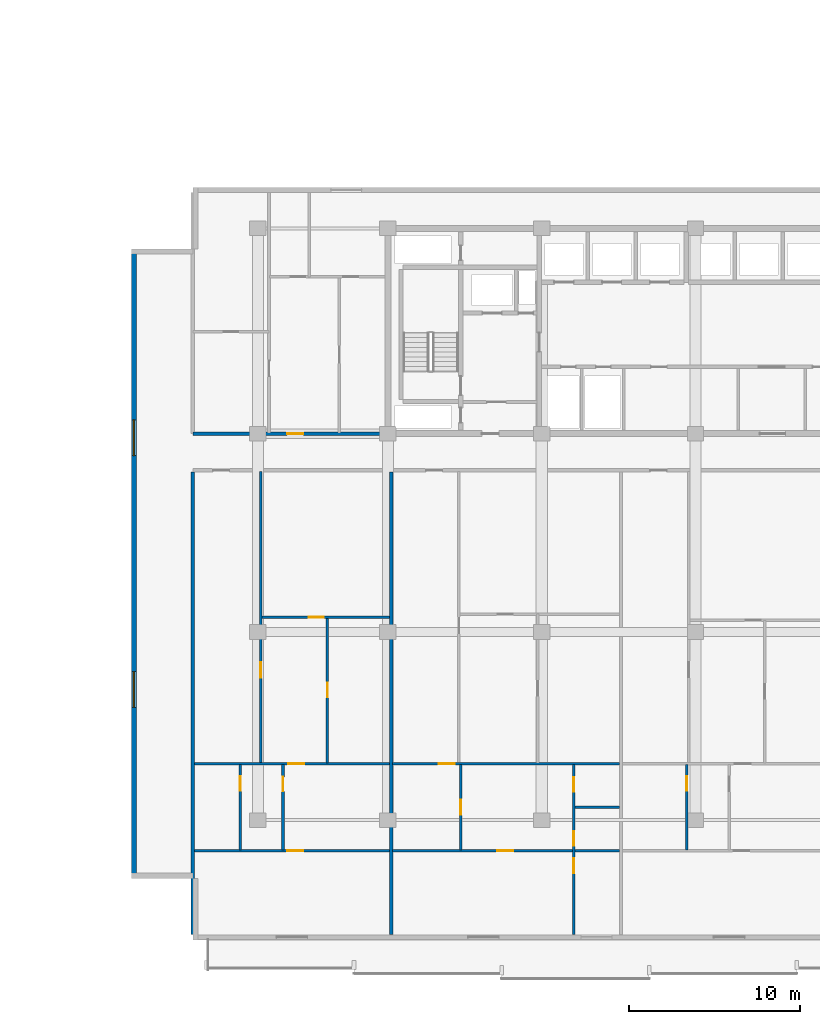
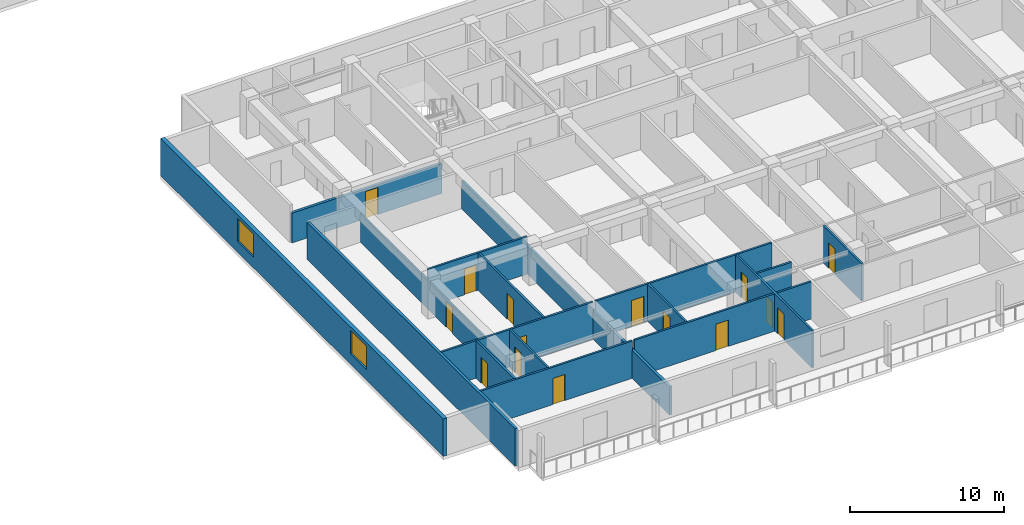
# One storey, part 4 of 24: 17 walls, 15 doors, 2 windows, 17 openings.
"""IFC4 building model written with IfcOpenShell, lengths in metres."""

from ifc_helpers import new_model, si_unit, direction, frame, frame_2d, origin, place, context, subcontext, project, spatial, rectangle, extrude, material, layer, layer_set, type_object, element, fill, save


model = new_model("IFC4")

# Units and contexts
model_context = context("Model", 3, precision=1e-05, world=origin(), true_north=direction((0.0, 1.0)))
body_context = subcontext(model_context, "Body", "Model", "MODEL_VIEW")
ifc_project = project(units=[si_unit("LENGTHUNIT", "METRE"), si_unit("AREAUNIT", "SQUARE_METRE"), si_unit("VOLUMEUNIT", "CUBIC_METRE"), si_unit("PLANEANGLEUNIT", "RADIAN"), si_unit("MASSUNIT", "GRAM", prefix="KILO")], contexts=[model_context])

# Site, building, storey
site_placement = place(None, origin())
site = spatial("IfcSite", under=ifc_project, at=site_placement, CompositionType="ELEMENT")
building_placement = place(site_placement, origin())
building = spatial("IfcBuilding", under=site, at=building_placement, Name="Korimba Cascade Residences", CompositionType="ELEMENT")
storey_placement = place(building_placement, frame((0.0, 0.0, 63.0)))
storey = spatial("IfcBuildingStorey", under=building, at=storey_placement, Name="L17", CompositionType="ELEMENT", Elevation=63.0)

# Wall, openings, windows
ifc_material_1 = material(Name="Precast concrete C40/50", Category="concrete")
ifc_layer_1 = layer(ifc_material_1, 0.300048828125)
ifc_layer_set_1 = layer_set([ifc_layer_1], Name="Precast concrete C40/50")
wall_type_1 = type_object("IfcWallType", Name="EW-STONE-300", PredefinedType="STANDARD", material=ifc_layer_set_1)
wall_1_placement = place(storey_placement, frame((67.25, 29.199951171875, 0.0), z_axis=(0.0, 0.0, 1.0), x_axis=(0.0, -1.0, 0.0)))
wall_1 = element("IfcWall", 1, at=wall_1_placement, inside=storey, type_object=wall_type_1, Name="L17 T2 Perimeter Stone Wall E09", PredefinedType="STANDARD", context=body_context, shape_type="SweptSolid", body=[
    extrude(rectangle(XDim=36.800048828125, YDim=0.300048828125, at=frame_2d((18.39990234375, 0.0))), origin(), (0.0, 0.0, 1.0), 2.969970703125),
])
opening_1_placement = place(wall_1_placement, frame((9.989990234375, 0.0, 0.85009765625)))
opening_1 = element("IfcOpeningElement", 2, at=opening_1_placement, cuts=wall_1, Name="Opening W-03", PredefinedType="OPENING", context=body_context, shape_type="SweptSolid", body=[
    extrude(rectangle(XDim=2.10009765625, YDim=1.85009765625, at=frame_2d((1.050048828125, 0.925048828125))), frame((0.0, 0.16015625, 0.0), z_axis=(0.0, -1.0, 0.0), x_axis=(1.0, 0.0, 0.0)), (0.0, 0.0, 1.0), 0.320068359375),
])
opening_2_placement = place(wall_1_placement, frame((24.7099609375, 0.0, 0.85009765625)))
opening_2 = element("IfcOpeningElement", 3, at=opening_2_placement, cuts=wall_1, Name="Opening W-03", PredefinedType="OPENING", context=body_context, shape_type="SweptSolid", body=[
    extrude(rectangle(XDim=2.10009765625, YDim=1.85009765625, at=frame_2d((1.050048828125, 0.925048828125))), frame((0.0, 0.16015625, 0.0), z_axis=(0.0, -1.0, 0.0), x_axis=(1.0, 0.0, 0.0)), (0.0, 0.0, 1.0), 0.320068359375),
])
ifc_material_2 = material(Name="Double-Glazed Aluminium Window", Category="aluminium")
window_type = type_object("IfcWindowType", Name="WIN-CRN-2100", PartitioningType="DOUBLE_PANEL_HORIZONTAL", PredefinedType="WINDOW", material=ifc_material_2)
window_1_placement = place(opening_1_placement, origin())
window_1 = element("IfcWindow", 4, at=window_1_placement, inside=storey, type_object=window_type, Name="L17 T2 End View Window 9.1", OverallHeight=1.85009765625, OverallWidth=2.10009765625, PartitioningType="DOUBLE_PANEL_HORIZONTAL", PredefinedType="WINDOW", context=body_context, shape_type="SweptSolid", body=[
    extrude(rectangle(XDim=2.10009765625, YDim=1.85009765625, at=frame_2d((1.050048828125, 0.925048828125))), frame((0.0, 0.030029296875, 0.0), z_axis=(0.0, -1.0, 0.0), x_axis=(1.0, 0.0, 0.0)), (0.0, 0.0, 1.0), 0.06005859375),
])
fill(opening_1, window_1)
window_2_placement = place(opening_2_placement, origin())
window_2 = element("IfcWindow", 5, at=window_2_placement, inside=storey, type_object=window_type, Name="L17 T2 End View Window 9.2", OverallHeight=1.85009765625, OverallWidth=2.10009765625, PartitioningType="DOUBLE_PANEL_HORIZONTAL", PredefinedType="WINDOW", context=body_context, shape_type="SweptSolid", body=[
    extrude(rectangle(XDim=2.10009765625, YDim=1.85009765625, at=frame_2d((1.050048828125, 0.925048828125))), frame((0.0, 0.030029296875, 0.0), z_axis=(0.0, -1.0, 0.0), x_axis=(1.0, 0.0, 0.0)), (0.0, 0.0, 1.0), 0.06005859375),
])
fill(opening_2, window_2)

# Wall, opening, door
ifc_layer_2 = layer(ifc_material_1, 0.199951171875)
ifc_layer_set_2 = layer_set([ifc_layer_2], Name="Precast concrete C40/50")
wall_type_2 = type_object("IfcWallType", Name="WAL-IT-200", PredefinedType="PARTITIONING", material=ifc_layer_set_2)
wall_2_placement = place(storey_placement, frame((70.699951171875, 18.39990234375, 0.0), z_axis=(0.0, 0.0, 1.0), x_axis=(1.0, 0.0, 0.0)))
wall_2 = element("IfcWall", 6, at=wall_2_placement, inside=storey, type_object=wall_type_2, Name="L17 Partition Wall WAL-L17-T2-FW-S", PredefinedType="PARTITIONING", context=body_context, shape_type="SweptSolid", body=[
    extrude(rectangle(XDim=11.25, YDim=0.199951171875, at=frame_2d((5.625, 0.0))), origin(), (0.0, 0.0, 1.0), 2.3701171875),
])
opening_3_placement = place(wall_2_placement, frame((5.50634765625, 0.0, 0.0)))
opening_3 = element("IfcOpeningElement", 7, at=opening_3_placement, cuts=wall_2, Name="Opening D-UN1", PredefinedType="OPENING", context=body_context, shape_type="SweptSolid", body=[
    extrude(rectangle(XDim=0.949951171875, YDim=2.14990234375, at=frame_2d((0.47509765625, 1.074951171875))), frame((0.0, 0.10986328125, 0.0), z_axis=(0.0, -1.0, 0.0), x_axis=(1.0, 0.0, 0.0)), (0.0, 0.0, 1.0), 0.219970703125),
])
ifc_material_3 = material(Name="Fire-Rated Hardwood Apartment Entrance Door", Category="wood")
door_type_1 = type_object("IfcDoorType", Name="DR-FD60-950", OperationType="NOTDEFINED", PredefinedType="DOOR", material=ifc_material_3)
door_1_placement = place(opening_3_placement, origin())
door_1 = element("IfcDoor", 8, at=door_1_placement, inside=storey, type_object=door_type_1, Name="L17-T2-FW Entrance Door", OperationType="SINGLE_SWING_LEFT", OverallHeight=2.14990234375, OverallWidth=0.949951171875, PredefinedType="DOOR", context=body_context, shape_type="SweptSolid", body=[
    extrude(rectangle(XDim=0.949951171875, YDim=2.14990234375, at=frame_2d((0.47509765625, 1.074951171875))), frame((0.0, 0.02490234375, 0.0), z_axis=(0.0, -1.0, 0.0), x_axis=(1.0, 0.0, 0.0)), (0.0, 0.0, 1.0), 0.050048828125),
])
fill(opening_3, door_1)

# Walls
wall_3_placement = place(storey_placement, frame((70.699951171875, -10.89990234375, 0.0), z_axis=(0.0, 0.0, 1.0), x_axis=(0.0, 1.0, 0.0)))
element("IfcWall", 9, at=wall_3_placement, inside=storey, type_object=wall_type_2, Name="L17 Partition Wall WAL-L17-T2-BNDWL", PredefinedType="PARTITIONING", context=body_context, shape_type="SweptSolid", body=[
    extrude(rectangle(XDim=27.06982421875, YDim=0.199951171875, at=frame_2d((13.534912109375, 0.0))), origin(), (0.0, 0.0, 1.0), 2.969970703125),
])
wall_4_placement = place(storey_placement, frame((82.289794921875, -10.89990234375, 0.0), z_axis=(0.0, 0.0, 1.0), x_axis=(0.0, 1.0, 0.0)))
element("IfcWall", 10, at=wall_4_placement, inside=storey, type_object=wall_type_2, Name="L17 Partition Wall WAL-L17-T2-DEM-1", PredefinedType="PARTITIONING", context=body_context, shape_type="SweptSolid", body=[
    extrude(rectangle(XDim=27.06982421875, YDim=0.199951171875, at=frame_2d((13.534912109375, 0.0))), origin(), (0.0, 0.0, 1.0), 2.219970703125),
])

# Wall, opening, door
ifc_material_4 = material(Name="Insulated Acoustic Stud Partition", Category="gypsum")
ifc_layer_3 = layer(ifc_material_4, 0.14990234375)
ifc_layer_set_3 = layer_set([ifc_layer_3], Name="Insulated Acoustic Stud Partition")
wall_type_3 = type_object("IfcWallType", Name="WAL-PART-150", PredefinedType="PARTITIONING", material=ifc_layer_set_3)
wall_5_placement = place(storey_placement, frame((78.56982421875, -0.860107421875, 0.0), z_axis=(0.0, 0.0, 1.0), x_axis=(0.0, 1.0, 0.0)))
wall_5 = element("IfcWall", 11, at=wall_5_placement, inside=storey, type_object=wall_type_3, Name="L17 Partition Wall WAL-L17-T2-U01-FMV", PredefinedType="PARTITIONING", context=body_context, shape_type="SweptSolid", body=[
    extrude(rectangle(XDim=8.525146484375, YDim=0.14990234375, at=frame_2d((4.2626953125, 0.0))), origin(), (0.0, 0.0, 1.0), 2.969970703125),
])
opening_4_placement = place(wall_5_placement, frame((3.842529296875, 0.0, 0.0)))
opening_4 = element("IfcOpeningElement", 12, at=opening_4_placement, cuts=wall_5, Name="Opening D-BT1", PredefinedType="OPENING", context=body_context, shape_type="SweptSolid", body=[
    extrude(rectangle(XDim=0.840087890625, YDim=2.0400390625, at=frame_2d((0.419921875, 1.02001953125))), frame((0.0, 0.0849609375, 0.0), z_axis=(0.0, -1.0, 0.0), x_axis=(1.0, 0.0, 0.0)), (0.0, 0.0, 1.0), 0.169921875),
])
ifc_material_5 = material(Name="Moisture-Resistant Bathroom Timber Door", Category="wood")
door_type_2 = type_object("IfcDoorType", Name="DR-INT-850", OperationType="NOTDEFINED", PredefinedType="DOOR", material=ifc_material_5)
door_2_placement = place(opening_4_placement, origin())
door_2 = element("IfcDoor", 13, at=door_2_placement, inside=storey, type_object=door_type_2, Name="L17-T2-U01 Wardrobe Door", OperationType="SINGLE_SWING_RIGHT", OverallHeight=2.0400390625, OverallWidth=0.840087890625, PredefinedType="DOOR", context=body_context, shape_type="SweptSolid", body=[
    extrude(rectangle(XDim=0.840087890625, YDim=2.0400390625, at=frame_2d((0.419921875, 1.02001953125))), frame((0.0, 0.02490234375, 0.0), z_axis=(0.0, -1.0, 0.0), x_axis=(1.0, 0.0, 0.0)), (0.0, 0.0, 1.0), 0.050048828125),
])
fill(opening_4, door_2)

wall_6_placement = place(storey_placement, frame((74.72998046875, 7.6650390625, 0.0), z_axis=(0.0, 0.0, 1.0), x_axis=(1.0, 0.0, 0.0)))
wall_6 = element("IfcWall", 14, at=wall_6_placement, inside=storey, type_object=wall_type_3, Name="L17 Partition Wall WAL-L17-T2-U01-FMH", PredefinedType="PARTITIONING", context=body_context, shape_type="SweptSolid", body=[
    extrude(rectangle(XDim=7.479736328125, YDim=0.14990234375, at=frame_2d((3.73974609375, 0.0))), origin(), (0.0, 0.0, 1.0), 2.969970703125),
])
opening_5_placement = place(wall_6_placement, frame((2.739990234375, 0.0, 0.0)))
opening_5 = element("IfcOpeningElement", 15, at=opening_5_placement, cuts=wall_6, Name="Opening D-IN2", PredefinedType="OPENING", context=body_context, shape_type="SweptSolid", body=[
    extrude(rectangle(XDim=0.8798828125, YDim=2.06005859375, at=frame_2d((0.43994140625, 1.030029296875))), frame((0.0, 0.0849609375, 0.0), z_axis=(0.0, -1.0, 0.0), x_axis=(1.0, 0.0, 0.0)), (0.0, 0.0, 1.0), 0.169921875),
])
ifc_material_6 = material(Name="Acoustic Timber Bedroom Door", Category="wood")
door_type_3 = type_object("IfcDoorType", Name="DR-INT-880", OperationType="NOTDEFINED", PredefinedType="DOOR", material=ifc_material_6)
door_3_placement = place(opening_5_placement, origin())
door_3 = element("IfcDoor", 16, at=door_3_placement, inside=storey, type_object=door_type_3, Name="L17-T2-U01 Library Salon Door", OperationType="SINGLE_SWING_LEFT", OverallHeight=2.06005859375, OverallWidth=0.8798828125, PredefinedType="DOOR", context=body_context, shape_type="SweptSolid", body=[
    extrude(rectangle(XDim=0.8798828125, YDim=2.06005859375, at=frame_2d((0.43994140625, 1.030029296875))), frame((0.0, 0.02490234375, 0.0), z_axis=(0.0, -1.0, 0.0), x_axis=(1.0, 0.0, 0.0)), (0.0, 0.0, 1.0), 0.050048828125),
])
fill(opening_5, door_3)

wall_7_placement = place(storey_placement, frame((74.669921875, -0.860107421875, 0.0), z_axis=(0.0, 0.0, 1.0), x_axis=(0.0, 1.0, 0.0)))
wall_7 = element("IfcWall", 17, at=wall_7_placement, inside=storey, type_object=wall_type_3, Name="L17 Partition Wall WAL-L17-T2-U01-FV", PredefinedType="PARTITIONING", context=body_context, shape_type="SweptSolid", body=[
    extrude(rectangle(XDim=17.050048828125, YDim=0.14990234375, at=frame_2d((8.52490234375, 0.0))), origin(), (0.0, 0.0, 1.0), 2.219970703125),
])
opening_6_placement = place(wall_7_placement, frame((4.999755859375, 0.0, 0.0)))
opening_6 = element("IfcOpeningElement", 18, at=opening_6_placement, cuts=wall_7, Name="Opening D-IN2", PredefinedType="OPENING", context=body_context, shape_type="SweptSolid", body=[
    extrude(rectangle(XDim=0.8798828125, YDim=2.06005859375, at=frame_2d((0.43994140625, 1.030029296875))), frame((0.0, 0.0849609375, 0.0), z_axis=(0.0, -1.0, 0.0), x_axis=(1.0, 0.0, 0.0)), (0.0, 0.0, 1.0), 0.169921875),
])
door_4_placement = place(opening_6_placement, origin())
door_4 = element("IfcDoor", 19, at=door_4_placement, inside=storey, type_object=door_type_3, Name="L17-T2-U01 Media Lounge Door", OperationType="SINGLE_SWING_RIGHT", OverallHeight=2.06005859375, OverallWidth=0.8798828125, PredefinedType="DOOR", context=body_context, shape_type="SweptSolid", body=[
    extrude(rectangle(XDim=0.8798828125, YDim=2.06005859375, at=frame_2d((0.43994140625, 1.030029296875))), frame((0.0, 0.02490234375, 0.0), z_axis=(0.0, -1.0, 0.0), x_axis=(1.0, 0.0, 0.0)), (0.0, 0.0, 1.0), 0.050048828125),
])
fill(opening_6, door_4)

wall_8_placement = place(storey_placement, frame((73.4697265625, -5.93994140625, 0.0), z_axis=(0.0, 0.0, 1.0), x_axis=(0.0, 1.0, 0.0)))
wall_8 = element("IfcWall", 20, at=wall_8_placement, inside=storey, type_object=wall_type_3, Name="L17 Partition Wall WAL-L17-T2-U01-CLS", PredefinedType="PARTITIONING", context=body_context, shape_type="SweptSolid", body=[
    extrude(rectangle(XDim=5.0, YDim=0.14990234375, at=frame_2d((2.5, 0.0))), origin(), (0.0, 0.0, 1.0), 2.969970703125),
])
opening_7_placement = place(wall_8_placement, frame((3.464111328125, 0.0, 0.0)))
opening_7 = element("IfcOpeningElement", 21, at=opening_7_placement, cuts=wall_8, Name="Opening D-BT1", PredefinedType="OPENING", context=body_context, shape_type="SweptSolid", body=[
    extrude(rectangle(XDim=0.840087890625, YDim=2.0400390625, at=frame_2d((0.419921875, 1.02001953125))), frame((0.0, 0.0849609375, 0.0), z_axis=(0.0, -1.0, 0.0), x_axis=(1.0, 0.0, 0.0)), (0.0, 0.0, 1.0), 0.169921875),
])
door_5_placement = place(opening_7_placement, origin())
door_5 = element("IfcDoor", 22, at=door_5_placement, inside=storey, type_object=door_type_2, Name="L17-T2-U01 Closet Door", OperationType="SINGLE_SWING_LEFT", OverallHeight=2.0400390625, OverallWidth=0.840087890625, PredefinedType="DOOR", context=body_context, shape_type="SweptSolid", body=[
    extrude(rectangle(XDim=0.840087890625, YDim=2.0400390625, at=frame_2d((0.419921875, 1.02001953125))), frame((0.0, 0.02490234375, 0.0), z_axis=(0.0, -1.0, 0.0), x_axis=(1.0, 0.0, 0.0)), (0.0, 0.0, 1.0), 0.050048828125),
])
fill(opening_7, door_5)

wall_9_placement = place(storey_placement, frame((75.9697265625, -5.93994140625, 0.0), z_axis=(0.0, 0.0, 1.0), x_axis=(0.0, 1.0, 0.0)))
wall_9 = element("IfcWall", 23, at=wall_9_placement, inside=storey, type_object=wall_type_3, Name="L17 Partition Wall WAL-L17-T2-U01-BM", PredefinedType="PARTITIONING", context=body_context, shape_type="SweptSolid", body=[
    extrude(rectangle(XDim=5.0, YDim=0.14990234375, at=frame_2d((2.5, 0.0))), origin(), (0.0, 0.0, 1.0), 2.969970703125),
])
opening_8_placement = place(wall_9_placement, frame((3.424072265625, 0.0, 0.0)))
opening_8 = element("IfcOpeningElement", 24, at=opening_8_placement, cuts=wall_9, Name="Opening D-BT1", PredefinedType="OPENING", context=body_context, shape_type="SweptSolid", body=[
    extrude(rectangle(XDim=0.840087890625, YDim=2.0400390625, at=frame_2d((0.419921875, 1.02001953125))), frame((0.0, 0.0849609375, 0.0), z_axis=(0.0, -1.0, 0.0), x_axis=(1.0, 0.0, 0.0)), (0.0, 0.0, 1.0), 0.169921875),
])
door_6_placement = place(opening_8_placement, origin())
door_6 = element("IfcDoor", 25, at=door_6_placement, inside=storey, type_object=door_type_2, Name="L17-T2-U01 Bathroom Door", OperationType="SINGLE_SWING_RIGHT", OverallHeight=2.0400390625, OverallWidth=0.840087890625, PredefinedType="DOOR", context=body_context, shape_type="SweptSolid", body=[
    extrude(rectangle(XDim=0.840087890625, YDim=2.0400390625, at=frame_2d((0.419921875, 1.02001953125))), frame((0.0, 0.02490234375, 0.0), z_axis=(0.0, -1.0, 0.0), x_axis=(1.0, 0.0, 0.0)), (0.0, 0.0, 1.0), 0.050048828125),
])
fill(opening_8, door_6)

wall_10_placement = place(storey_placement, frame((70.780029296875, -0.89990234375, 0.0), z_axis=(0.0, 0.0, 1.0), x_axis=(1.0, 0.0, 0.0)))
wall_10 = element("IfcWall", 26, at=wall_10_placement, inside=storey, type_object=wall_type_3, Name="L17 Partition Wall WAL-L17-T2-U01-MW", PredefinedType="PARTITIONING", context=body_context, shape_type="SweptSolid", body=[
    extrude(rectangle(XDim=11.4296875, YDim=0.14990234375, at=frame_2d((5.71484375, 0.0))), origin(), (0.0, 0.0, 1.0), 2.969970703125),
])
opening_9_placement = place(wall_10_placement, frame((5.505859375, 0.0, 0.0)))
opening_9 = element("IfcOpeningElement", 27, at=opening_9_placement, cuts=wall_10, Name="Opening D-IN1", PredefinedType="OPENING", context=body_context, shape_type="SweptSolid", body=[
    extrude(rectangle(XDim=0.919921875, YDim=2.080078125, at=frame_2d((0.4599609375, 1.0400390625))), frame((0.0, 0.0849609375, 0.0), z_axis=(0.0, -1.0, 0.0), x_axis=(1.0, 0.0, 0.0)), (0.0, 0.0, 1.0), 0.169921875),
])
ifc_material_7 = material(Name="Acoustic Timber Living Door", Category="wood")
door_type_4 = type_object("IfcDoorType", Name="DR-INT-920", OperationType="NOTDEFINED", PredefinedType="DOOR", material=ifc_material_7)
door_7_placement = place(opening_9_placement, origin())
door_7 = element("IfcDoor", 28, at=door_7_placement, inside=storey, type_object=door_type_4, Name="L17-T2-U01 Studio Kitchen Door", OperationType="SINGLE_SWING_LEFT", OverallHeight=2.080078125, OverallWidth=0.919921875, PredefinedType="DOOR", context=body_context, shape_type="SweptSolid", body=[
    extrude(rectangle(XDim=0.919921875, YDim=2.080078125, at=frame_2d((0.4599609375, 1.0400390625))), frame((0.0, 0.02490234375, 0.0), z_axis=(0.0, -1.0, 0.0), x_axis=(1.0, 0.0, 0.0)), (0.0, 0.0, 1.0), 0.050048828125),
])
fill(opening_9, door_7)

wall_11_placement = place(storey_placement, frame((70.780029296875, -6.0, 0.0), z_axis=(0.0, 0.0, 1.0), x_axis=(1.0, 0.0, 0.0)))
wall_11 = element("IfcWall", 29, at=wall_11_placement, inside=storey, type_object=wall_type_3, Name="L17 Partition Wall WAL-L17-T2-U01-HZ", PredefinedType="PARTITIONING", context=body_context, shape_type="SweptSolid", body=[
    extrude(rectangle(XDim=11.4296875, YDim=0.14990234375, at=frame_2d((5.71484375, 0.0))), origin(), (0.0, 0.0, 1.0), 2.969970703125),
])
opening_10_placement = place(wall_11_placement, frame((5.439697265625, 0.0, 0.0)))
opening_10 = element("IfcOpeningElement", 30, at=opening_10_placement, cuts=wall_11, Name="Opening D-IN1", PredefinedType="OPENING", context=body_context, shape_type="SweptSolid", body=[
    extrude(rectangle(XDim=0.919921875, YDim=2.080078125, at=frame_2d((0.4599609375, 1.0400390625))), frame((0.0, 0.0849609375, 0.0), z_axis=(0.0, -1.0, 0.0), x_axis=(1.0, 0.0, 0.0)), (0.0, 0.0, 1.0), 0.169921875),
])
door_8_placement = place(opening_10_placement, origin())
door_8 = element("IfcDoor", 31, at=door_8_placement, inside=storey, type_object=door_type_4, Name="L17-T2-U01 Studio Door", OperationType="SINGLE_SWING_RIGHT", OverallHeight=2.080078125, OverallWidth=0.919921875, PredefinedType="DOOR", context=body_context, shape_type="SweptSolid", body=[
    extrude(rectangle(XDim=0.919921875, YDim=2.080078125, at=frame_2d((0.4599609375, 1.0400390625))), frame((0.0, 0.02490234375, 0.0), z_axis=(0.0, -1.0, 0.0), x_axis=(1.0, 0.0, 0.0)), (0.0, 0.0, 1.0), 0.050048828125),
])
fill(opening_10, door_8)

wall_12_placement = place(storey_placement, frame((86.359619140625, -5.93994140625, 0.0), z_axis=(0.0, 0.0, 1.0), x_axis=(0.0, 1.0, 0.0)))
wall_12 = element("IfcWall", 32, at=wall_12_placement, inside=storey, type_object=wall_type_3, Name="L17 Partition Wall WAL-L17-T2-U02-VDIN", PredefinedType="PARTITIONING", context=body_context, shape_type="SweptSolid", body=[
    extrude(rectangle(XDim=5.0, YDim=0.14990234375, at=frame_2d((2.5, 0.0))), origin(), (0.0, 0.0, 1.0), 2.969970703125),
])
opening_11_placement = place(wall_12_placement, frame((2.06005859375, 0.0, 0.0)))
opening_11 = element("IfcOpeningElement", 33, at=opening_11_placement, cuts=wall_12, Name="Opening D-IN2", PredefinedType="OPENING", context=body_context, shape_type="SweptSolid", body=[
    extrude(rectangle(XDim=0.8798828125, YDim=2.06005859375, at=frame_2d((0.43994140625, 1.030029296875))), frame((0.0, 0.0849609375, 0.0), z_axis=(0.0, -1.0, 0.0), x_axis=(1.0, 0.0, 0.0)), (0.0, 0.0, 1.0), 0.169921875),
])
door_9_placement = place(opening_11_placement, origin())
door_9 = element("IfcDoor", 34, at=door_9_placement, inside=storey, type_object=door_type_3, Name="L17-T2-U02 Dining Room Door", OperationType="SINGLE_SWING_RIGHT", OverallHeight=2.06005859375, OverallWidth=0.8798828125, PredefinedType="DOOR", context=body_context, shape_type="SweptSolid", body=[
    extrude(rectangle(XDim=0.8798828125, YDim=2.06005859375, at=frame_2d((0.43994140625, 1.030029296875))), frame((0.0, 0.02490234375, 0.0), z_axis=(0.0, -1.0, 0.0), x_axis=(1.0, 0.0, 0.0)), (0.0, 0.0, 1.0), 0.050048828125),
])
fill(opening_11, door_9)

# Wall
wall_13_placement = place(storey_placement, frame((93.0400390625, -3.43994140625, 0.0), z_axis=(0.0, 0.0, 1.0), x_axis=(1.0, 0.0, 0.0)))
element("IfcWall", 35, at=wall_13_placement, inside=storey, type_object=wall_type_3, Name="L17 Partition Wall WAL-L17-T2-U02-BLDIV", PredefinedType="PARTITIONING", context=body_context, shape_type="SweptSolid", body=[
    extrude(rectangle(XDim=2.6162109375, YDim=0.14990234375, at=frame_2d((1.30810546875, 0.0))), origin(), (0.0, 0.0, 1.0), 2.969970703125),
])

# Wall, openings, doors
wall_14_placement = place(storey_placement, frame((92.97998046875, -10.89990234375, 0.0), z_axis=(0.0, 0.0, 1.0), x_axis=(0.0, 1.0, 0.0)))
wall_14 = element("IfcWall", 36, at=wall_14_placement, inside=storey, type_object=wall_type_3, Name="L17 Partition Wall WAL-L17-T2-U02-V1", PredefinedType="PARTITIONING", context=body_context, shape_type="SweptSolid", body=[
    extrude(rectangle(XDim=9.9599609375, YDim=0.14990234375, at=frame_2d((4.97998046875, 0.0))), origin(), (0.0, 0.0, 1.0), 2.969970703125),
])
opening_12_placement = place(wall_14_placement, frame((5.199951171875, 0.0, 0.0)))
opening_12 = element("IfcOpeningElement", 37, at=opening_12_placement, cuts=wall_14, Name="Opening D-BT1", PredefinedType="OPENING", context=body_context, shape_type="SweptSolid", body=[
    extrude(rectangle(XDim=0.840087890625, YDim=2.0400390625, at=frame_2d((0.419921875, 1.02001953125))), frame((0.0, 0.0849609375, 0.0), z_axis=(0.0, -1.0, 0.0), x_axis=(1.0, 0.0, 0.0)), (0.0, 0.0, 1.0), 0.169921875),
])
opening_13_placement = place(wall_14_placement, frame((8.359130859375, 0.0, 0.0)))
opening_13 = element("IfcOpeningElement", 38, at=opening_13_placement, cuts=wall_14, Name="Opening D-BT1", PredefinedType="OPENING", context=body_context, shape_type="SweptSolid", body=[
    extrude(rectangle(XDim=0.840087890625, YDim=2.0400390625, at=frame_2d((0.419921875, 1.02001953125))), frame((0.0, 0.0849609375, 0.0), z_axis=(0.0, -1.0, 0.0), x_axis=(1.0, 0.0, 0.0)), (0.0, 0.0, 1.0), 0.169921875),
])
opening_14_placement = place(wall_14_placement, frame((3.60009765625, 0.0, 0.0)))
opening_14 = element("IfcOpeningElement", 39, at=opening_14_placement, cuts=wall_14, Name="Opening D-IN2", PredefinedType="OPENING", context=body_context, shape_type="SweptSolid", body=[
    extrude(rectangle(XDim=0.8798828125, YDim=2.06005859375, at=frame_2d((0.43994140625, 1.030029296875))), frame((0.0, 0.0849609375, 0.0), z_axis=(0.0, -1.0, 0.0), x_axis=(1.0, 0.0, 0.0)), (0.0, 0.0, 1.0), 0.169921875),
])
door_10_placement = place(opening_12_placement, origin())
door_10 = element("IfcDoor", 40, at=door_10_placement, inside=storey, type_object=door_type_2, Name="L17-T2-U02 Bathroom Door", OperationType="SINGLE_SWING_LEFT", OverallHeight=2.0400390625, OverallWidth=0.840087890625, PredefinedType="DOOR", context=body_context, shape_type="SweptSolid", body=[
    extrude(rectangle(XDim=0.840087890625, YDim=2.0400390625, at=frame_2d((0.419921875, 1.02001953125))), frame((0.0, 0.02490234375, 0.0), z_axis=(0.0, -1.0, 0.0), x_axis=(1.0, 0.0, 0.0)), (0.0, 0.0, 1.0), 0.050048828125),
])
fill(opening_12, door_10)
door_11_placement = place(opening_13_placement, origin())
door_11 = element("IfcDoor", 41, at=door_11_placement, inside=storey, type_object=door_type_2, Name="L17-T2-U02 Laundry Door", OperationType="SINGLE_SWING_RIGHT", OverallHeight=2.0400390625, OverallWidth=0.840087890625, PredefinedType="DOOR", context=body_context, shape_type="SweptSolid", body=[
    extrude(rectangle(XDim=0.840087890625, YDim=2.0400390625, at=frame_2d((0.419921875, 1.02001953125))), frame((0.0, 0.02490234375, 0.0), z_axis=(0.0, -1.0, 0.0), x_axis=(1.0, 0.0, 0.0)), (0.0, 0.0, 1.0), 0.050048828125),
])
fill(opening_13, door_11)
door_12_placement = place(opening_14_placement, origin())
door_12 = element("IfcDoor", 42, at=door_12_placement, inside=storey, type_object=door_type_3, Name="L17-T2-U02 Bedroom 1 Door", OperationType="SINGLE_SWING_LEFT", OverallHeight=2.06005859375, OverallWidth=0.8798828125, PredefinedType="DOOR", context=body_context, shape_type="SweptSolid", body=[
    extrude(rectangle(XDim=0.8798828125, YDim=2.06005859375, at=frame_2d((0.43994140625, 1.030029296875))), frame((0.0, 0.02490234375, 0.0), z_axis=(0.0, -1.0, 0.0), x_axis=(1.0, 0.0, 0.0)), (0.0, 0.0, 1.0), 0.050048828125),
])
fill(opening_14, door_12)

# Wall, opening, door
wall_15_placement = place(storey_placement, frame((82.36962890625, -0.89990234375, 0.0), z_axis=(0.0, 0.0, 1.0), x_axis=(1.0, 0.0, 0.0)))
wall_15 = element("IfcWall", 43, at=wall_15_placement, inside=storey, type_object=wall_type_3, Name="L17 Partition Wall WAL-L17-T2-U02-MW", PredefinedType="PARTITIONING", context=body_context, shape_type="SweptSolid", body=[
    extrude(rectangle(XDim=13.28662109375, YDim=0.14990234375, at=frame_2d((6.643310546875, 0.0))), origin(), (0.0, 0.0, 1.0), 2.969970703125),
])
opening_15_placement = place(wall_15_placement, frame((2.719970703125, 0.0, 0.0)))
opening_15 = element("IfcOpeningElement", 44, at=opening_15_placement, cuts=wall_15, Name="Opening D-IN1", PredefinedType="OPENING", context=body_context, shape_type="SweptSolid", body=[
    extrude(rectangle(XDim=0.919921875, YDim=2.080078125, at=frame_2d((0.4599609375, 1.0400390625))), frame((0.0, 0.0849609375, 0.0), z_axis=(0.0, -1.0, 0.0), x_axis=(1.0, 0.0, 0.0)), (0.0, 0.0, 1.0), 0.169921875),
])
door_13_placement = place(opening_15_placement, origin())
door_13 = element("IfcDoor", 45, at=door_13_placement, inside=storey, type_object=door_type_4, Name="L17-T2-U02 Kitchen Archway Door", OperationType="SINGLE_SWING_RIGHT", OverallHeight=2.080078125, OverallWidth=0.919921875, PredefinedType="DOOR", context=body_context, shape_type="SweptSolid", body=[
    extrude(rectangle(XDim=0.919921875, YDim=2.080078125, at=frame_2d((0.4599609375, 1.0400390625))), frame((0.0, 0.02490234375, 0.0), z_axis=(0.0, -1.0, 0.0), x_axis=(1.0, 0.0, 0.0)), (0.0, 0.0, 1.0), 0.050048828125),
])
fill(opening_15, door_13)

wall_16_placement = place(storey_placement, frame((82.36962890625, -6.0, 0.0), z_axis=(0.0, 0.0, 1.0), x_axis=(1.0, 0.0, 0.0)))
wall_16 = element("IfcWall", 46, at=wall_16_placement, inside=storey, type_object=wall_type_3, Name="L17 Partition Wall WAL-L17-T2-U02-HZ", PredefinedType="PARTITIONING", context=body_context, shape_type="SweptSolid", body=[
    extrude(rectangle(XDim=13.28662109375, YDim=0.14990234375, at=frame_2d((6.643310546875, 0.0))), origin(), (0.0, 0.0, 1.0), 2.969970703125),
])
opening_16_placement = place(wall_16_placement, frame((6.118896484375, 0.0, 0.0)))
opening_16 = element("IfcOpeningElement", 47, at=opening_16_placement, cuts=wall_16, Name="Opening D-IN0", PredefinedType="OPENING", context=body_context, shape_type="SweptSolid", body=[
    extrude(rectangle(XDim=0.93994140625, YDim=2.10009765625, at=frame_2d((0.469970703125, 1.050048828125))), frame((0.0, 0.0849609375, 0.0), z_axis=(0.0, -1.0, 0.0), x_axis=(1.0, 0.0, 0.0)), (0.0, 0.0, 1.0), 0.169921875),
])
ifc_material_8 = material(Name="Acoustic Timber Living Archway Door", Category="wood")
door_type_5 = type_object("IfcDoorType", Name="DR-INT-950", OperationType="NOTDEFINED", PredefinedType="DOOR", material=ifc_material_8)
door_14_placement = place(opening_16_placement, origin())
door_14 = element("IfcDoor", 48, at=door_14_placement, inside=storey, type_object=door_type_5, Name="L17-T2-U02 Living Archway Door", OperationType="SINGLE_SWING_LEFT", OverallHeight=2.10009765625, OverallWidth=0.93994140625, PredefinedType="DOOR", context=body_context, shape_type="SweptSolid", body=[
    extrude(rectangle(XDim=0.93994140625, YDim=2.10009765625, at=frame_2d((0.469970703125, 1.050048828125))), frame((0.0, 0.02490234375, 0.0), z_axis=(0.0, -1.0, 0.0), x_axis=(1.0, 0.0, 0.0)), (0.0, 0.0, 1.0), 0.050048828125),
])
fill(opening_16, door_14)

wall_17_placement = place(storey_placement, frame((99.574951171875, -5.93994140625, 0.0), z_axis=(0.0, 0.0, 1.0), x_axis=(0.0, 1.0, 0.0)))
wall_17 = element("IfcWall", 49, at=wall_17_placement, inside=storey, type_object=wall_type_3, Name="L17 Partition Wall WAL-L17-T2-U03-CLS", PredefinedType="PARTITIONING", context=body_context, shape_type="SweptSolid", body=[
    extrude(rectangle(XDim=5.0, YDim=0.14990234375, at=frame_2d((2.5, 0.0))), origin(), (0.0, 0.0, 1.0), 2.969970703125),
])
opening_17_placement = place(wall_17_placement, frame((3.464111328125, 0.0, 0.0)))
opening_17 = element("IfcOpeningElement", 50, at=opening_17_placement, cuts=wall_17, Name="Opening D-BT1", PredefinedType="OPENING", context=body_context, shape_type="SweptSolid", body=[
    extrude(rectangle(XDim=0.840087890625, YDim=2.0400390625, at=frame_2d((0.419921875, 1.02001953125))), frame((0.0, 0.0849609375, 0.0), z_axis=(0.0, -1.0, 0.0), x_axis=(1.0, 0.0, 0.0)), (0.0, 0.0, 1.0), 0.169921875),
])
door_15_placement = place(opening_17_placement, origin())
door_15 = element("IfcDoor", 51, at=door_15_placement, inside=storey, type_object=door_type_2, Name="L17-T2-U03 Closet Door", OperationType="SINGLE_SWING_LEFT", OverallHeight=2.0400390625, OverallWidth=0.840087890625, PredefinedType="DOOR", context=body_context, shape_type="SweptSolid", body=[
    extrude(rectangle(XDim=0.840087890625, YDim=2.0400390625, at=frame_2d((0.419921875, 1.02001953125))), frame((0.0, 0.02490234375, 0.0), z_axis=(0.0, -1.0, 0.0), x_axis=(1.0, 0.0, 0.0)), (0.0, 0.0, 1.0), 0.050048828125),
])
fill(opening_17, door_15)

save(model, "model.ifc")
